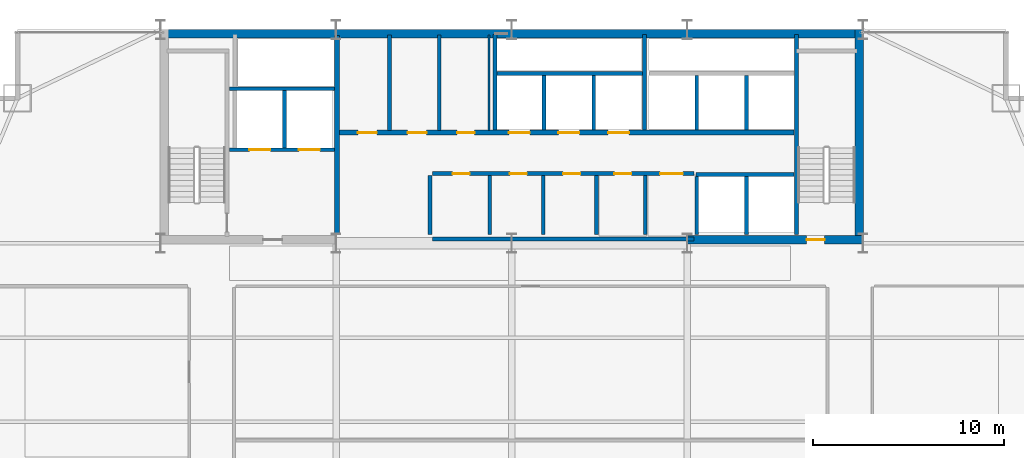
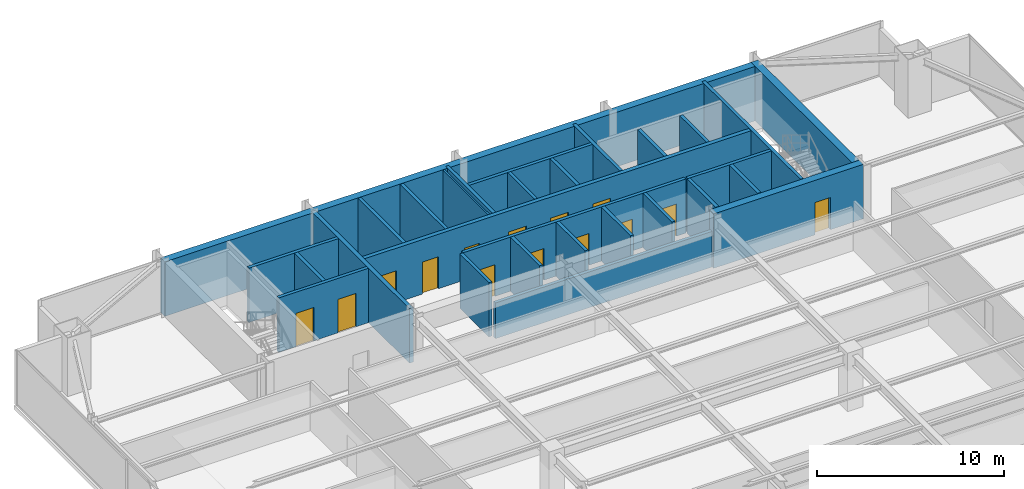
# One storey, part 31 of 34: 29 walls, 14 doors, 14 openings.
"""IFC4 building model written with IfcOpenShell, lengths in metres."""

from ifc_helpers import new_model, si_unit, direction, frame, frame_2d, origin, place, context, subcontext, project, spatial, rectangle, extrude, source, transform, mapped, material, layer, layer_set, type_object, type_shapes, element, fill, save


model = new_model("IFC4")

# Units and contexts
model_context = context("Model", 3, precision=1e-05, world=origin(), true_north=direction((0.0, 1.0)))
body_context = subcontext(model_context, "Body", "Model", "MODEL_VIEW")
ifc_project = project(units=[si_unit("LENGTHUNIT", "METRE"), si_unit("AREAUNIT", "SQUARE_METRE"), si_unit("VOLUMEUNIT", "CUBIC_METRE"), si_unit("PLANEANGLEUNIT", "RADIAN"), si_unit("MASSUNIT", "GRAM", prefix="KILO")], contexts=[model_context])

# Site, building, storey
site_placement = place(None, origin())
site = spatial("IfcSite", under=ifc_project, at=site_placement, CompositionType="ELEMENT")
building_placement = place(site_placement, origin())
building = spatial("IfcBuilding", under=site, at=building_placement, Name="Varnel Quay Broadcast Tower", CompositionType="ELEMENT")
storey_placement = place(building_placement, frame((0.0, 0.0, 110.60009765625)))
storey = spatial("IfcBuildingStorey", under=building, at=storey_placement, Name="L26", CompositionType="ELEMENT", Elevation=110.60009765625)

# Wall, openings, doors
ifc_material_1 = material(Name="Concrete CSA A23.3 C50/60", Category="concrete")
ifc_layer_1 = layer(ifc_material_1, 0.199951171875, Name="Concrete CSA A23.3 C50/60")
ifc_layer_set_1 = layer_set([ifc_layer_1], Name="Concrete CSA A23.3 C50/60")
wall_type_1 = type_object("IfcWallType", Name="Wall_CoreShaftShear200", PredefinedType="SHEAR", material=ifc_layer_set_1)
wall_1_placement = place(storey_placement, frame((19.199951171875, 40.5, 0.0), z_axis=(0.0, 0.0, 1.0), x_axis=(1.0, 0.0, 0.0)))
wall_1 = element("IfcWall", 1, at=wall_1_placement, inside=storey, type_object=wall_type_1, Name="L26 Firefighter Lift Shaft Front Wall", PredefinedType="SHEAR", context=body_context, shape_type="SweptSolid", body=[
    extrude(rectangle(XDim=5.52001953125, YDim=0.199951171875, at=frame_2d((2.760009765625, 0.0))), origin(), (0.0, 0.0, 1.0), 3.5498046875),
])
opening_1_placement = place(wall_1_placement, frame((1.050048828125, 0.0, 0.0)))
opening_1 = element("IfcOpeningElement", 2, at=opening_1_placement, cuts=wall_1, Name="Opening LD-L26-FE1", PredefinedType="OPENING", context=body_context, shape_type="SweptSolid", body=[
    extrude(rectangle(XDim=1.10009765625, YDim=2.179931640625, at=frame_2d((0.550048828125, 1.08984375))), frame((0.0, 0.10986328125, 0.0), z_axis=(0.0, -1.0, 0.0), x_axis=(1.0, 0.0, 0.0)), (0.0, 0.0, 1.0), 0.219970703125),
])
opening_2_placement = place(wall_1_placement, frame((3.64990234375, 0.0, 0.0)))
opening_2 = element("IfcOpeningElement", 3, at=opening_2_placement, cuts=wall_1, Name="Opening LD-L26-FE2", PredefinedType="OPENING", context=body_context, shape_type="SweptSolid", body=[
    extrude(rectangle(XDim=1.10009765625, YDim=2.179931640625, at=frame_2d((0.550048828125, 1.08984375))), frame((0.0, 0.10986328125, 0.0), z_axis=(0.0, -1.0, 0.0), x_axis=(1.0, 0.0, 0.0)), (0.0, 0.0, 1.0), 0.219970703125),
])
ifc_material_2 = material(Name="Brushed Bronze-Stainless Lift Car & Sliding Doors", Category="steel")
door_type_1 = type_object("IfcDoorType", Name="Door_LiftLanding1100", OperationType="SLIDING_TO_LEFT", PredefinedType="DOOR", material=ifc_material_2)
shared_shape_1 = source(origin(), body_context, "Body", "SweptSolid", [
    extrude(rectangle(XDim=1.10009765625, YDim=2.179931640625, at=frame_2d((0.550048828125, 1.08984375))), frame((0.0, 0.02490234375, 0.0), z_axis=(0.0, -1.0, 0.0), x_axis=(1.0, 0.0, 0.0)), (0.0, 0.0, 1.0), 0.050048828125),
])
type_shapes(door_type_1, [shared_shape_1])
door_1_placement = place(opening_1_placement, frame((1.10009765625, 0.0, 0.0), z_axis=(0.0, 0.0, 1.0), x_axis=(-1.0, 0.0, 0.0)))
door_1 = element("IfcDoor", 4, at=door_1_placement, inside=storey, type_object=door_type_1, Name="L26 Firefighter Lift FE-01 Landing Door", OperationType="SLIDING_TO_LEFT", OverallHeight=2.179931640625, OverallWidth=1.10009765625, PredefinedType="DOOR", context=body_context, shape_type="MappedRepresentation", body=[
    mapped(shared_shape_1, transform((0.0, 0.0, 0.0), x_axis=(1.0, 0.0, 0.0), y_axis=(0.0, 1.0, 0.0), z_axis=(0.0, 0.0, 1.0), scale=1.0)),
])
fill(opening_1, door_1)
door_2_placement = place(opening_2_placement, frame((1.10009765625, 0.0, 0.0), z_axis=(0.0, 0.0, 1.0), x_axis=(-1.0, 0.0, 0.0)))
door_2 = element("IfcDoor", 5, at=door_2_placement, inside=storey, type_object=door_type_1, Name="L26 Firefighter Lift FE-02 Landing Door", OperationType="SLIDING_TO_RIGHT", OverallHeight=2.179931640625, OverallWidth=1.10009765625, PredefinedType="DOOR", context=body_context, shape_type="MappedRepresentation", body=[
    mapped(shared_shape_1, transform((0.0, 0.0, 0.0), x_axis=(1.0, 0.0, 0.0), y_axis=(0.0, 1.0, 0.0), z_axis=(0.0, 0.0, 1.0), scale=1.0)),
])
fill(opening_2, door_2)

# Walls
wall_2_placement = place(storey_placement, frame((19.199951171875, 43.699951171875, 0.0), z_axis=(0.0, 0.0, 1.0), x_axis=(1.0, 0.0, 0.0)))
element("IfcWall", 6, at=wall_2_placement, inside=storey, type_object=wall_type_1, Name="L26 Firefighter Lift Shaft Rear Wall", PredefinedType="SHEAR", context=body_context, shape_type="SweptSolid", body=[
    extrude(rectangle(XDim=5.52001953125, YDim=0.199951171875, at=frame_2d((2.760009765625, 0.0))), origin(), (0.0, 0.0, 1.0), 3.5498046875),
])
wall_3_placement = place(storey_placement, frame((22.10009765625, 40.60009765625, 0.0), z_axis=(0.0, 0.0, 1.0), x_axis=(0.0, 1.0, 0.0)))
element("IfcWall", 7, at=wall_3_placement, inside=storey, type_object=wall_type_1, Name="L26 Firefighter Lift Shaft Divider", PredefinedType="SHEAR", context=body_context, shape_type="SweptSolid", body=[
    extrude(rectangle(XDim=3.0, YDim=0.199951171875, at=frame_2d((1.5, 0.0))), origin(), (0.0, 0.0, 1.0), 3.5498046875),
])
wall_4_placement = place(storey_placement, frame((48.919921875, 36.050048828125, 0.0), z_axis=(0.0, 0.0, 1.0), x_axis=(0.0, 1.0, 0.0)))
element("IfcWall", 8, at=wall_4_placement, inside=storey, type_object=wall_type_1, Name="L26 Stair 2 West Structural Wall", PredefinedType="SHEAR", context=body_context, shape_type="SweptSolid", body=[
    extrude(rectangle(XDim=10.5, YDim=0.199951171875, at=frame_2d((5.25, 0.0))), origin(), (0.0, 0.0, 1.0), 3.5498046875),
])
wall_5_placement = place(storey_placement, frame((33.219970703125, 44.5, 0.0), z_axis=(0.0, 0.0, 1.0), x_axis=(1.0, 0.0, 0.0)))
element("IfcWall", 9, at=wall_5_placement, inside=storey, type_object=wall_type_1, Name="L26 Mid-Rise Lift Shaft Rear Wall", PredefinedType="SHEAR", context=body_context, shape_type="SweptSolid", body=[
    extrude(rectangle(XDim=7.630126953125, YDim=0.199951171875, at=frame_2d((3.81494140625, 0.0))), origin(), (0.0, 0.0, 1.0), 3.5498046875),
])
wall_6_placement = place(storey_placement, frame((33.1201171875, 41.530029296875, 0.0), z_axis=(0.0, 0.0, 1.0), x_axis=(0.0, 1.0, 0.0)))
element("IfcWall", 10, at=wall_6_placement, inside=storey, type_object=wall_type_1, Name="L26 Mid-Rise Lift Shaft Divider 1", PredefinedType="SHEAR", context=body_context, shape_type="SweptSolid", body=[
    extrude(rectangle(XDim=5.02001953125, YDim=0.199951171875, at=frame_2d((2.510009765625, 0.0))), origin(), (0.0, 0.0, 1.0), 3.5498046875),
])
for number, where, z_axis, x_axis, name in (
    (11, (35.699951171875, 41.530029296875, 0.0), (0.0, 0.0, 1.0), (0.0, 1.0, 0.0), "L26 Mid-Rise Lift Shaft Divider 2"),
    (12, (38.300048828125, 41.530029296875, 0.0), (0.0, 0.0, 1.0), (0.0, 1.0, 0.0), "L26 Mid-Rise Lift Shaft Divider 3"),
):
    element("IfcWall", number, at=place(storey_placement, frame(where, z_axis=z_axis, x_axis=x_axis)), inside=storey, type_object=wall_type_1, Name=name, PredefinedType="SHEAR", context=body_context, shape_type="SweptSolid", body=[
        extrude(rectangle(XDim=2.869873046875, YDim=0.199951171875, at=frame_2d((1.43505859375, 0.0))), origin(), (0.0, 0.0, 1.0), 3.5498046875),
    ])
wall_7_placement = place(storey_placement, frame((40.949951171875, 41.530029296875, 0.0), z_axis=(0.0, 0.0, 1.0), x_axis=(0.0, 1.0, 0.0)))
element("IfcWall", 13, at=wall_7_placement, inside=storey, type_object=wall_type_1, Name="L26 Mid-Rise Lift Shaft Divider 4", PredefinedType="SHEAR", context=body_context, shape_type="SweptSolid", body=[
    extrude(rectangle(XDim=5.02001953125, YDim=0.199951171875, at=frame_2d((2.510009765625, 0.0))), origin(), (0.0, 0.0, 1.0), 3.5498046875),
])
for number, where, z_axis, x_axis, name in (
    (14, (43.699951171875, 41.530029296875, 0.0), (0.0, 0.0, 1.0), (0.0, 1.0, 0.0), "L26 High-Rise Lift Shaft Divider 2"),
    (15, (46.300048828125, 41.530029296875, 0.0), (0.0, 0.0, 1.0), (0.0, 1.0, 0.0), "L26 High-Rise Lift Shaft Divider 3"),
):
    element("IfcWall", number, at=place(storey_placement, frame(where, z_axis=z_axis, x_axis=x_axis)), inside=storey, type_object=wall_type_1, Name=name, PredefinedType="SHEAR", context=body_context, shape_type="SweptSolid", body=[
        extrude(rectangle(XDim=2.869873046875, YDim=0.199951171875, at=frame_2d((1.43505859375, 0.0))), origin(), (0.0, 0.0, 1.0), 3.5498046875),
    ])
for number, where, z_axis, x_axis, name in (
    (16, (43.699951171875, 36.050048828125, 0.0), (0.0, 0.0, 1.0), (0.0, 1.0, 0.0), "L26 Express Lift Shaft West Wall"),
    (17, (46.300048828125, 36.050048828125, 0.0), (0.0, 0.0, 1.0), (0.0, 1.0, 0.0), "L26 Express Lift Shaft Divider"),
):
    element("IfcWall", number, at=place(storey_placement, frame(where, z_axis=z_axis, x_axis=x_axis)), inside=storey, type_object=wall_type_1, Name=name, PredefinedType="SHEAR", context=body_context, shape_type="SweptSolid", body=[
        extrude(rectangle(XDim=3.050048828125, YDim=0.199951171875, at=frame_2d((1.52490234375, 0.0))), origin(), (0.0, 0.0, 1.0), 3.5498046875),
    ])
wall_8_placement = place(storey_placement, frame((43.64990234375, 39.199951171875, 0.0), z_axis=(0.0, 0.0, 1.0), x_axis=(1.0, 0.0, 0.0)))
element("IfcWall", 18, at=wall_8_placement, inside=storey, type_object=wall_type_1, Name="L26 Express Lift Shaft North Front Wall", PredefinedType="SHEAR", context=body_context, shape_type="SweptSolid", body=[
    extrude(rectangle(XDim=5.150146484375, YDim=0.199951171875, at=frame_2d((2.5751953125, 0.0))), origin(), (0.0, 0.0, 1.0), 3.5498046875),
])
ifc_layer_2 = layer(ifc_material_1, 0.25, Name="Concrete CSA A23.3 C50/60")
ifc_layer_set_2 = layer_set([ifc_layer_2], Name="Concrete CSA A23.3 C50/60")
wall_type_2 = type_object("IfcWallType", Name="Wall_CoreShaftShear250", PredefinedType="SHEAR", material=ifc_layer_set_2)
wall_9_placement = place(storey_placement, frame((24.85009765625, 36.050048828125, 0.0), z_axis=(0.0, 0.0, 1.0), x_axis=(0.0, 1.0, 0.0)))
element("IfcWall", 19, at=wall_9_placement, inside=storey, type_object=wall_type_2, Name="L26 Firefighting Lobby East Structural Wall", PredefinedType="SHEAR", context=body_context, shape_type="SweptSolid", body=[
    extrude(rectangle(XDim=10.449951171875, YDim=0.25, at=frame_2d((5.22509765625, 0.0))), origin(), (0.0, 0.0, 1.0), 3.5498046875),
])

# Wall, openings, doors
wall_10_placement = place(storey_placement, frame((24.97998046875, 41.39990234375, 0.0), z_axis=(0.0, 0.0, 1.0), x_axis=(1.0, 0.0, 0.0)))
wall_10 = element("IfcWall", 20, at=wall_10_placement, inside=storey, type_object=wall_type_2, Name="L26 North Lift Bank & Reclaimed Suite Wall", PredefinedType="SHEAR", context=body_context, shape_type="SweptSolid", body=[
    extrude(rectangle(XDim=23.820068359375, YDim=0.25, at=frame_2d((11.91015625, 0.0))), origin(), (0.0, 0.0, 1.0), 3.5498046875),
])
opening_3_placement = place(wall_10_placement, frame((8.8701171875, 0.0, 0.0)))
opening_3 = element("IfcOpeningElement", 21, at=opening_3_placement, cuts=wall_10, Name="Opening LD-L26-PM-01", PredefinedType="OPENING", context=body_context, shape_type="SweptSolid", body=[
    extrude(rectangle(XDim=1.10009765625, YDim=2.179931640625, at=frame_2d((0.550048828125, 1.08984375))), frame((0.0, 0.135009765625, 0.0), z_axis=(0.0, -1.0, 0.0), x_axis=(1.0, 0.0, 0.0)), (0.0, 0.0, 1.0), 0.27001953125),
])
opening_4_placement = place(wall_10_placement, frame((11.469970703125, 0.0, 0.0)))
opening_4 = element("IfcOpeningElement", 22, at=opening_4_placement, cuts=wall_10, Name="Opening LD-L26-PM-02", PredefinedType="OPENING", context=body_context, shape_type="SweptSolid", body=[
    extrude(rectangle(XDim=1.10009765625, YDim=2.179931640625, at=frame_2d((0.550048828125, 1.08984375))), frame((0.0, 0.135009765625, 0.0), z_axis=(0.0, -1.0, 0.0), x_axis=(1.0, 0.0, 0.0)), (0.0, 0.0, 1.0), 0.27001953125),
])
opening_5_placement = place(wall_10_placement, frame((14.070068359375, 0.0, 0.0)))
opening_5 = element("IfcOpeningElement", 23, at=opening_5_placement, cuts=wall_10, Name="Opening LD-L26-PM-03", PredefinedType="OPENING", context=body_context, shape_type="SweptSolid", body=[
    extrude(rectangle(XDim=1.10009765625, YDim=2.179931640625, at=frame_2d((0.550048828125, 1.08984375))), frame((0.0, 0.135009765625, 0.0), z_axis=(0.0, -1.0, 0.0), x_axis=(1.0, 0.0, 0.0)), (0.0, 0.0, 1.0), 0.27001953125),
])
opening_6_placement = place(wall_10_placement, frame((0.9599609375, 0.0, 0.0)))
opening_6 = element("IfcOpeningElement", 24, at=opening_6_placement, cuts=wall_10, Name="Opening D-L26-RECA1", PredefinedType="OPENING", context=body_context, shape_type="SweptSolid", body=[
    extrude(rectangle(XDim=1.0, YDim=2.080078125, at=frame_2d((0.5, 1.0400390625))), frame((0.0, 0.135009765625, 0.0), z_axis=(0.0, -1.0, 0.0), x_axis=(1.0, 0.0, 0.0)), (0.0, 0.0, 1.0), 0.27001953125),
])
opening_7_placement = place(wall_10_placement, frame((3.56005859375, 0.0, 0.0)))
opening_7 = element("IfcOpeningElement", 25, at=opening_7_placement, cuts=wall_10, Name="Opening D-L26-RECA2", PredefinedType="OPENING", context=body_context, shape_type="SweptSolid", body=[
    extrude(rectangle(XDim=1.0, YDim=2.080078125, at=frame_2d((0.5, 1.0400390625))), frame((0.0, 0.135009765625, 0.0), z_axis=(0.0, -1.0, 0.0), x_axis=(1.0, 0.0, 0.0)), (0.0, 0.0, 1.0), 0.27001953125),
])
opening_8_placement = place(wall_10_placement, frame((6.159912109375, 0.0, 0.0)))
opening_8 = element("IfcOpeningElement", 26, at=opening_8_placement, cuts=wall_10, Name="Opening D-L26-RECA3", PredefinedType="OPENING", context=body_context, shape_type="SweptSolid", body=[
    extrude(rectangle(XDim=0.919921875, YDim=2.080078125, at=frame_2d((0.4599609375, 1.0400390625))), frame((0.0, 0.135009765625, 0.0), z_axis=(0.0, -1.0, 0.0), x_axis=(1.0, 0.0, 0.0)), (0.0, 0.0, 1.0), 0.27001953125),
])
door_3_placement = place(opening_3_placement, frame((1.10009765625, 0.0, 0.0), z_axis=(0.0, 0.0, 1.0), x_axis=(-1.0, 0.0, 0.0)))
door_3 = element("IfcDoor", 27, at=door_3_placement, inside=storey, type_object=door_type_1, Name="L26 Lift PM-01 Landing Door", OperationType="SLIDING_TO_LEFT", OverallHeight=2.179931640625, OverallWidth=1.10009765625, PredefinedType="DOOR", context=body_context, shape_type="MappedRepresentation", body=[
    mapped(shared_shape_1, transform((0.0, 0.0, 0.0), x_axis=(1.0, 0.0, 0.0), y_axis=(0.0, 1.0, 0.0), z_axis=(0.0, 0.0, 1.0), scale=1.0)),
])
fill(opening_3, door_3)
door_4_placement = place(opening_4_placement, frame((1.10009765625, 0.0, 0.0), z_axis=(0.0, 0.0, 1.0), x_axis=(-1.0, 0.0, 0.0)))
door_4 = element("IfcDoor", 28, at=door_4_placement, inside=storey, type_object=door_type_1, Name="L26 Lift PM-02 Landing Door", OperationType="SLIDING_TO_LEFT", OverallHeight=2.179931640625, OverallWidth=1.10009765625, PredefinedType="DOOR", context=body_context, shape_type="MappedRepresentation", body=[
    mapped(shared_shape_1, transform((0.0, 0.0, 0.0), x_axis=(1.0, 0.0, 0.0), y_axis=(0.0, 1.0, 0.0), z_axis=(0.0, 0.0, 1.0), scale=1.0)),
])
fill(opening_4, door_4)
door_5_placement = place(opening_5_placement, frame((1.10009765625, 0.0, 0.0), z_axis=(0.0, 0.0, 1.0), x_axis=(-1.0, 0.0, 0.0)))
door_5 = element("IfcDoor", 29, at=door_5_placement, inside=storey, type_object=door_type_1, Name="L26 Lift PM-03 Landing Door", OperationType="SLIDING_TO_LEFT", OverallHeight=2.179931640625, OverallWidth=1.10009765625, PredefinedType="DOOR", context=body_context, shape_type="MappedRepresentation", body=[
    mapped(shared_shape_1, transform((0.0, 0.0, 0.0), x_axis=(1.0, 0.0, 0.0), y_axis=(0.0, 1.0, 0.0), z_axis=(0.0, 0.0, 1.0), scale=1.0)),
])
fill(opening_5, door_5)
ifc_material_3 = material(Name="Insulated Fire-Rated Hollow Steel Door", Category="steel")
door_type_2 = type_object("IfcDoorType", Name="Door_FireLobby1000", OperationType="NOTDEFINED", PredefinedType="DOOR", material=ifc_material_3)
shared_shape_2 = source(origin(), body_context, "Body", "SweptSolid", [
    extrude(rectangle(XDim=1.0, YDim=2.080078125, at=frame_2d((0.5, 1.0400390625))), frame((0.0, 0.02490234375, 0.0), z_axis=(0.0, -1.0, 0.0), x_axis=(1.0, 0.0, 0.0)), (0.0, 0.0, 1.0), 0.050048828125),
])
type_shapes(door_type_2, [shared_shape_2])
door_6_placement = place(opening_6_placement, origin())
door_6 = element("IfcDoor", 30, at=door_6_placement, inside=storey, type_object=door_type_2, Name="L26 Ingest Rack Bay A Door", OperationType="SINGLE_SWING_LEFT", OverallHeight=2.080078125, OverallWidth=1.0, PredefinedType="DOOR", context=body_context, shape_type="MappedRepresentation", body=[
    mapped(shared_shape_2, transform((0.0, 0.0, 0.0), x_axis=(1.0, 0.0, 0.0), y_axis=(0.0, 1.0, 0.0), z_axis=(0.0, 0.0, 1.0), scale=1.0)),
])
fill(opening_6, door_6)
door_7_placement = place(opening_7_placement, origin())
door_7 = element("IfcDoor", 31, at=door_7_placement, inside=storey, type_object=door_type_2, Name="L26 Fiber Patch Bay Door", OperationType="SINGLE_SWING_RIGHT", OverallHeight=2.080078125, OverallWidth=1.0, PredefinedType="DOOR", context=body_context, shape_type="MappedRepresentation", body=[
    mapped(shared_shape_2, transform((0.0, 0.0, 0.0), x_axis=(1.0, 0.0, 0.0), y_axis=(0.0, 1.0, 0.0), z_axis=(0.0, 0.0, 1.0), scale=1.0)),
])
fill(opening_7, door_7)
ifc_material_4 = material(Name="Solid-Core Fire-Rated Acoustic Oak Veneer Door", Category="wood")
door_type_3 = type_object("IfcDoorType", Name="Door_Office920", OperationType="NOTDEFINED", PredefinedType="DOOR", material=ifc_material_4)
shared_shape_3 = source(origin(), body_context, "Body", "SweptSolid", [
    extrude(rectangle(XDim=0.919921875, YDim=2.080078125, at=frame_2d((0.4599609375, 1.0400390625))), frame((0.0, 0.02490234375, 0.0), z_axis=(0.0, -1.0, 0.0), x_axis=(1.0, 0.0, 0.0)), (0.0, 0.0, 1.0), 0.050048828125),
])
type_shapes(door_type_3, [shared_shape_3])
door_8_placement = place(opening_8_placement, origin())
door_8 = element("IfcDoor", 32, at=door_8_placement, inside=storey, type_object=door_type_3, Name="L26 Telemetry Store Door", OperationType="SINGLE_SWING_LEFT", OverallHeight=2.080078125, OverallWidth=0.919921875, PredefinedType="DOOR", context=body_context, shape_type="MappedRepresentation", body=[
    mapped(shared_shape_3, transform((0.0, 0.0, 0.0), x_axis=(1.0, 0.0, 0.0), y_axis=(0.0, 1.0, 0.0), z_axis=(0.0, 0.0, 1.0), scale=1.0)),
])
fill(opening_8, door_8)

# Walls
ifc_material_5 = material(Name="Concrete CSA A23.3 C60/75", Category="concrete")
ifc_layer_3 = layer(ifc_material_5, 0.449951171875, Name="Concrete CSA A23.3 C60/75")
ifc_layer_set_3 = layer_set([ifc_layer_3], Name="Concrete CSA A23.3 C60/75")
wall_type_3 = type_object("IfcWallType", Name="Wall_CoreShearExt450", PredefinedType="SHEAR", material=ifc_layer_set_3)
wall_11_placement = place(storey_placement, frame((15.60009765625, 46.574951171875, 0.0), z_axis=(0.0, 0.0, 1.0), x_axis=(1.0, 0.0, 0.0)))
element("IfcWall", 33, at=wall_11_placement, inside=storey, type_object=wall_type_3, Name="L26 North Core Shear Wall", PredefinedType="SHEAR", context=body_context, shape_type="SweptSolid", body=[
    extrude(rectangle(XDim=36.7998046875, YDim=0.449951171875, at=frame_2d((18.39990234375, 0.0))), origin(), (0.0, 0.0, 1.0), 3.5498046875),
])
ifc_layer_4 = layer(ifc_material_5, 0.449951171875, Name="Concrete CSA A23.3 C60/75")
ifc_layer_set_4 = layer_set([ifc_layer_4], Name="Concrete CSA A23.3 C60/75")
wall_type_4 = type_object("IfcWallType", Name="Wall_CoreShearInt450", PredefinedType="SHEAR", material=ifc_layer_set_4)
wall_12_placement = place(storey_placement, frame((52.205078125, 35.570068359375, 0.0), z_axis=(0.0, 0.0, 1.0), x_axis=(0.0, 1.0, 0.0)))
element("IfcWall", 34, at=wall_12_placement, inside=storey, type_object=wall_type_4, Name="L26 East Core Shear Wall", PredefinedType="SHEAR", context=body_context, shape_type="SweptSolid", body=[
    extrude(rectangle(XDim=11.22998046875, YDim=0.449951171875, at=frame_2d((5.614990234375, 0.0))), origin(), (0.0, 0.0, 1.0), 3.5498046875),
])

# Wall, opening, door
wall_13_placement = place(storey_placement, frame((43.199951171875, 35.794921875, 0.0), z_axis=(0.0, 0.0, 1.0), x_axis=(1.0, 0.0, 0.0)))
wall_13 = element("IfcWall", 35, at=wall_13_placement, inside=storey, type_object=wall_type_4, Name="L26 South-East Core Shear Wall", PredefinedType="SHEAR", context=body_context, shape_type="SweptSolid", body=[
    extrude(rectangle(XDim=9.22998046875, YDim=0.449951171875, at=frame_2d((4.614990234375, 0.0))), origin(), (0.0, 0.0, 1.0), 3.5498046875),
])
opening_9_placement = place(wall_13_placement, frame((6.25, 0.0, 0.0)))
opening_9 = element("IfcOpeningElement", 36, at=opening_9_placement, cuts=wall_13, Name="Opening D-L26-S2", PredefinedType="OPENING", context=body_context, shape_type="SweptSolid", body=[
    extrude(rectangle(XDim=0.949951171875, YDim=2.10009765625, at=frame_2d((0.47509765625, 1.050048828125))), frame((0.0, 0.23486328125, 0.0), z_axis=(0.0, -1.0, 0.0), x_axis=(1.0, 0.0, 0.0)), (0.0, 0.0, 1.0), 0.469970703125),
])
door_type_4 = type_object("IfcDoorType", Name="Door_FireStair950", OperationType="NOTDEFINED", PredefinedType="DOOR", material=ifc_material_3)
shared_shape_4 = source(origin(), body_context, "Body", "SweptSolid", [
    extrude(rectangle(XDim=0.949951171875, YDim=2.10009765625, at=frame_2d((0.47509765625, 1.050048828125))), frame((0.0, 0.02490234375, 0.0), z_axis=(0.0, -1.0, 0.0), x_axis=(1.0, 0.0, 0.0)), (0.0, 0.0, 1.0), 0.050048828125),
])
type_shapes(door_type_4, [shared_shape_4])
door_9_placement = place(opening_9_placement, origin())
door_9 = element("IfcDoor", 37, at=door_9_placement, inside=storey, type_object=door_type_4, Name="L26 Stair 2 Fire Door", OperationType="SINGLE_SWING_RIGHT", OverallHeight=2.10009765625, OverallWidth=0.949951171875, PredefinedType="DOOR", context=body_context, shape_type="MappedRepresentation", body=[
    mapped(shared_shape_4, transform((0.0, 0.0, 0.0), x_axis=(1.0, 0.0, 0.0), y_axis=(0.0, 1.0, 0.0), z_axis=(0.0, 0.0, 1.0), scale=1.0)),
])
fill(opening_9, door_9)

# Wall
ifc_material_6 = material(Name="Concrete Blockwork Fire Enclosure C40/50", Category="masonry")
ifc_layer_5 = layer(ifc_material_6, 0.199951171875, Name="Concrete Blockwork Fire Enclosure C40/50")
ifc_layer_set_5 = layer_set([ifc_layer_5], Name="Concrete Blockwork Fire Enclosure C40/50")
wall_type_5 = type_object("IfcWallType", Name="Wall_FireShaft200", PredefinedType="SOLIDWALL", material=ifc_layer_set_5)
wall_14_placement = place(storey_placement, frame((29.85009765625, 35.824951171875, 0.0), z_axis=(0.0, 0.0, 1.0), x_axis=(1.0, 0.0, 0.0)))
element("IfcWall", 38, at=wall_14_placement, inside=storey, type_object=wall_type_5, Name="L26 Accessible Washroom Partition 1", PredefinedType="SOLIDWALL", context=body_context, shape_type="SweptSolid", body=[
    extrude(rectangle(XDim=13.699951171875, YDim=0.199951171875, at=frame_2d((6.85009765625, 0.0))), origin(), (0.0, 0.0, 1.0), 2.324951171875),
])

# Wall, openings, doors
wall_15_placement = place(storey_placement, frame((29.85009765625, 39.25, 0.0), z_axis=(0.0, 0.0, 1.0), x_axis=(1.0, 0.0, 0.0)))
wall_15 = element("IfcWall", 39, at=wall_15_placement, inside=storey, type_object=wall_type_5, Name="L26 Accessible Washroom Partition 3", PredefinedType="SOLIDWALL", context=body_context, shape_type="SweptSolid", body=[
    extrude(rectangle(XDim=13.699951171875, YDim=0.199951171875, at=frame_2d((6.85009765625, 0.0))), origin(), (0.0, 0.0, 1.0), 3.52978515625),
])
opening_10_placement = place(wall_15_placement, frame((1.050048828125, 0.0, 0.0)))
opening_10 = element("IfcOpeningElement", 40, at=opening_10_placement, cuts=wall_15, Name="Opening D-L26-01", PredefinedType="OPENING", context=body_context, shape_type="SweptSolid", body=[
    extrude(rectangle(XDim=0.89990234375, YDim=2.06005859375, at=frame_2d((0.449951171875, 1.030029296875))), frame((0.0, 0.10986328125, 0.0), z_axis=(0.0, -1.0, 0.0), x_axis=(1.0, 0.0, 0.0)), (0.0, 0.0, 1.0), 0.219970703125),
])
opening_11_placement = place(wall_15_placement, frame((4.050048828125, 0.0, 0.0)))
opening_11 = element("IfcOpeningElement", 41, at=opening_11_placement, cuts=wall_15, Name="Opening D-L26-02", PredefinedType="OPENING", context=body_context, shape_type="SweptSolid", body=[
    extrude(rectangle(XDim=0.89990234375, YDim=2.06005859375, at=frame_2d((0.449951171875, 1.030029296875))), frame((0.0, 0.10986328125, 0.0), z_axis=(0.0, -1.0, 0.0), x_axis=(1.0, 0.0, 0.0)), (0.0, 0.0, 1.0), 0.219970703125),
])
opening_12_placement = place(wall_15_placement, frame((6.85009765625, 0.0, 0.0)))
opening_12 = element("IfcOpeningElement", 42, at=opening_12_placement, cuts=wall_15, Name="Opening D-L26-03", PredefinedType="OPENING", context=body_context, shape_type="SweptSolid", body=[
    extrude(rectangle(XDim=0.89990234375, YDim=2.06005859375, at=frame_2d((0.449951171875, 1.030029296875))), frame((0.0, 0.10986328125, 0.0), z_axis=(0.0, -1.0, 0.0), x_axis=(1.0, 0.0, 0.0)), (0.0, 0.0, 1.0), 0.219970703125),
])
opening_13_placement = place(wall_15_placement, frame((9.534912109375, 0.0, 0.0)))
opening_13 = element("IfcOpeningElement", 43, at=opening_13_placement, cuts=wall_15, Name="Opening D-L26-04", PredefinedType="OPENING", context=body_context, shape_type="SweptSolid", body=[
    extrude(rectangle(XDim=0.8798828125, YDim=2.06005859375, at=frame_2d((0.43994140625, 1.030029296875))), frame((0.0, 0.10986328125, 0.0), z_axis=(0.0, -1.0, 0.0), x_axis=(1.0, 0.0, 0.0)), (0.0, 0.0, 1.0), 0.219970703125),
])
opening_14_placement = place(wall_15_placement, frame((11.925048828125, 0.0, 0.0)))
opening_14 = element("IfcOpeningElement", 44, at=opening_14_placement, cuts=wall_15, Name="Opening D-L26-05", PredefinedType="OPENING", context=body_context, shape_type="SweptSolid", body=[
    extrude(rectangle(XDim=1.199951171875, YDim=2.10009765625, at=frame_2d((0.60009765625, 1.050048828125))), frame((0.0, 0.10986328125, 0.0), z_axis=(0.0, -1.0, 0.0), x_axis=(1.0, 0.0, 0.0)), (0.0, 0.0, 1.0), 0.219970703125),
])
door_type_5 = type_object("IfcDoorType", Name="Door_Washroom900", OperationType="NOTDEFINED", PredefinedType="DOOR", material=ifc_material_4)
shared_shape_5 = source(origin(), body_context, "Body", "SweptSolid", [
    extrude(rectangle(XDim=0.89990234375, YDim=2.06005859375, at=frame_2d((0.449951171875, 1.030029296875))), frame((0.0, 0.02490234375, 0.0), z_axis=(0.0, -1.0, 0.0), x_axis=(1.0, 0.0, 0.0)), (0.0, 0.0, 1.0), 0.050048828125),
])
type_shapes(door_type_5, [shared_shape_5])
door_10_placement = place(opening_10_placement, frame((0.89990234375, 0.0, 0.0), z_axis=(0.0, 0.0, 1.0), x_axis=(-1.0, 0.0, 0.0)))
door_10 = element("IfcDoor", 45, at=door_10_placement, inside=storey, type_object=door_type_5, Name="L26 Accessible Washroom Door D-L26-01", OperationType="SINGLE_SWING_RIGHT", OverallHeight=2.06005859375, OverallWidth=0.89990234375, PredefinedType="DOOR", context=body_context, shape_type="MappedRepresentation", body=[
    mapped(shared_shape_5, transform((0.0, 0.0, 0.0), x_axis=(1.0, 0.0, 0.0), y_axis=(0.0, 1.0, 0.0), z_axis=(0.0, 0.0, 1.0), scale=1.0)),
])
fill(opening_10, door_10)
door_11_placement = place(opening_11_placement, frame((0.89990234375, 0.0, 0.0), z_axis=(0.0, 0.0, 1.0), x_axis=(-1.0, 0.0, 0.0)))
door_11 = element("IfcDoor", 46, at=door_11_placement, inside=storey, type_object=door_type_5, Name="L26 West Gender-Neutral Washroom Door D-L26-02", OperationType="SINGLE_SWING_LEFT", OverallHeight=2.06005859375, OverallWidth=0.89990234375, PredefinedType="DOOR", context=body_context, shape_type="MappedRepresentation", body=[
    mapped(shared_shape_5, transform((0.0, 0.0, 0.0), x_axis=(1.0, 0.0, 0.0), y_axis=(0.0, 1.0, 0.0), z_axis=(0.0, 0.0, 1.0), scale=1.0)),
])
fill(opening_11, door_11)
door_12_placement = place(opening_12_placement, frame((0.89990234375, 0.0, 0.0), z_axis=(0.0, 0.0, 1.0), x_axis=(-1.0, 0.0, 0.0)))
door_12 = element("IfcDoor", 47, at=door_12_placement, inside=storey, type_object=door_type_5, Name="L26 East Staff Washroom Door D-L26-03", OperationType="SINGLE_SWING_RIGHT", OverallHeight=2.06005859375, OverallWidth=0.89990234375, PredefinedType="DOOR", context=body_context, shape_type="MappedRepresentation", body=[
    mapped(shared_shape_5, transform((0.0, 0.0, 0.0), x_axis=(1.0, 0.0, 0.0), y_axis=(0.0, 1.0, 0.0), z_axis=(0.0, 0.0, 1.0), scale=1.0)),
])
fill(opening_12, door_12)
door_type_6 = type_object("IfcDoorType", Name="Door_Plant1200", OperationType="NOTDEFINED", PredefinedType="DOOR", material=ifc_material_3)
shared_shape_6 = source(origin(), body_context, "Body", "SweptSolid", [
    extrude(rectangle(XDim=1.199951171875, YDim=2.10009765625, at=frame_2d((0.60009765625, 1.050048828125))), frame((0.0, 0.02490234375, 0.0), z_axis=(0.0, -1.0, 0.0), x_axis=(1.0, 0.0, 0.0)), (0.0, 0.0, 1.0), 0.050048828125),
])
type_shapes(door_type_6, [shared_shape_6])
door_13_placement = place(opening_14_placement, origin())
door_13 = element("IfcDoor", 48, at=door_13_placement, inside=storey, type_object=door_type_6, Name="L26 Telecom IDF Closet Door D-L26-05", OperationType="SINGLE_SWING_RIGHT", OverallHeight=2.10009765625, OverallWidth=1.199951171875, PredefinedType="DOOR", context=body_context, shape_type="MappedRepresentation", body=[
    mapped(shared_shape_6, transform((0.0, 0.0, 0.0), x_axis=(1.0, 0.0, 0.0), y_axis=(0.0, 1.0, 0.0), z_axis=(0.0, 0.0, 1.0), scale=1.0)),
])
fill(opening_14, door_13)
door_type_7 = type_object("IfcDoorType", Name="Door_Booth880", OperationType="NOTDEFINED", PredefinedType="DOOR", material=ifc_material_4)
shared_shape_7 = source(origin(), body_context, "Body", "SweptSolid", [
    extrude(rectangle(XDim=0.8798828125, YDim=2.06005859375, at=frame_2d((0.43994140625, 1.030029296875))), frame((0.0, 0.02490234375, 0.0), z_axis=(0.0, -1.0, 0.0), x_axis=(1.0, 0.0, 0.0)), (0.0, 0.0, 1.0), 0.050048828125),
])
type_shapes(door_type_7, [shared_shape_7])
door_14_placement = place(opening_13_placement, frame((0.8798828125, 0.0, 0.0), z_axis=(0.0, 0.0, 1.0), x_axis=(-1.0, 0.0, 0.0)))
door_14 = element("IfcDoor", 49, at=door_14_placement, inside=storey, type_object=door_type_7, Name="L26 Cleaners' & Linen Store Door D-L26-04", OperationType="SINGLE_SWING_LEFT", OverallHeight=2.06005859375, OverallWidth=0.8798828125, PredefinedType="DOOR", context=body_context, shape_type="MappedRepresentation", body=[
    mapped(shared_shape_7, transform((0.0, 0.0, 0.0), x_axis=(1.0, 0.0, 0.0), y_axis=(0.0, 1.0, 0.0), z_axis=(0.0, 0.0, 1.0), scale=1.0)),
])
fill(opening_13, door_14)

# Walls
wall_16_placement = place(storey_placement, frame((41.0, 36.050048828125, 0.0), z_axis=(0.0, 0.0, 1.0), x_axis=(0.0, 1.0, 0.0)))
element("IfcWall", 50, at=wall_16_placement, inside=storey, type_object=wall_type_5, Name="L26 Cleaners' & Linen Store Partition 7", PredefinedType="SOLIDWALL", context=body_context, shape_type="SweptSolid", body=[
    extrude(rectangle(XDim=3.099853515625, YDim=0.199951171875, at=frame_2d((1.5498046875, 0.0))), origin(), (0.0, 0.0, 1.0), 3.52978515625),
])
for number, where, z_axis, x_axis, name in (
    (51, (27.60009765625, 41.5, 0.0), (0.0, 0.0, 1.0), (0.0, 1.0, 0.0), "L26 Ingest Rack Bay A Partition 21"),
    (52, (30.199951171875, 41.5, 0.0), (0.0, 0.0, 1.0), (0.0, 1.0, 0.0), "L26 Fiber Patch Bay Partition 22"),
):
    element("IfcWall", number, at=place(storey_placement, frame(where, z_axis=z_axis, x_axis=x_axis)), inside=storey, type_object=wall_type_5, Name=name, PredefinedType="SOLIDWALL", context=body_context, shape_type="SweptSolid", body=[
        extrude(rectangle(XDim=5.02001953125, YDim=0.199951171875, at=frame_2d((2.510009765625, 0.0))), origin(), (0.0, 0.0, 1.0), 3.52978515625),
    ])
ifc_material_7 = material(Name="Steel-Stud Fire-Rated Acoustic Gypsum Partition Assembly", Category="steel")
ifc_layer_6 = layer(ifc_material_7, 0.10498046875, Name="Steel-Stud Fire-Rated Acoustic Gypsum Partition Assembly")
ifc_layer_set_6 = layer_set([ifc_layer_6], Name="Steel-Stud Fire-Rated Acoustic Gypsum Partition Assembly")
wall_type_6 = type_object("IfcWallType", Name="Wall_Partition105", PredefinedType="PARTITIONING", material=ifc_layer_set_6)
wall_17_placement = place(storey_placement, frame((32.800048828125, 41.5, 0.0), z_axis=(0.0, 0.0, 1.0), x_axis=(0.0, 1.0, 0.0)))
element("IfcWall", 53, at=wall_17_placement, inside=storey, type_object=wall_type_6, Name="L26 Telemetry Store Partition 23", PredefinedType="PARTITIONING", context=body_context, shape_type="SweptSolid", body=[
    extrude(rectangle(XDim=5.02001953125, YDim=0.10498046875, at=frame_2d((2.510009765625, 0.0))), origin(), (0.0, 0.0, 1.0), 3.52978515625),
])
ifc_material_8 = material(Name="Fire-Rated Moisture-Resistant Plumbing Chase Partition")
ifc_layer_7 = layer(ifc_material_8, 0.199951171875, Name="Fire-Rated Moisture-Resistant Plumbing Chase Partition")
ifc_layer_set_7 = layer_set([ifc_layer_7], Name="Fire-Rated Moisture-Resistant Plumbing Chase Partition")
wall_type_7 = type_object("IfcWallType", Name="Wall_Plumbing200", PredefinedType="PLUMBINGWALL", material=ifc_layer_set_7)
for number, where, z_axis, x_axis, name in (
    (54, (32.85009765625, 36.050048828125, 0.0), (0.0, 0.0, 1.0), (0.0, 1.0, 0.0), "L26 Accessible Washroom Partition 2"),
    (55, (29.72509765625, 36.050048828125, 0.0), (0.0, 0.0, 1.0), (0.0, 1.0, 0.0), "L26 Accessible Washroom Partition 4"),
    (56, (35.64990234375, 36.050048828125, 0.0), (0.0, 0.0, 1.0), (0.0, 1.0, 0.0), "L26 West Gender-Neutral Washroom Partition 5"),
    (57, (38.449951171875, 36.050048828125, 0.0), (0.0, 0.0, 1.0), (0.0, 1.0, 0.0), "L26 East Staff Washroom Partition 6"),
):
    element("IfcWall", number, at=place(storey_placement, frame(where, z_axis=z_axis, x_axis=x_axis)), inside=storey, type_object=wall_type_7, Name=name, PredefinedType="PLUMBINGWALL", context=body_context, shape_type="SweptSolid", body=[
        extrude(rectangle(XDim=3.099853515625, YDim=0.199951171875, at=frame_2d((1.5498046875, 0.0))), origin(), (0.0, 0.0, 1.0), 3.52978515625),
    ])

save(model, "model.ifc")
